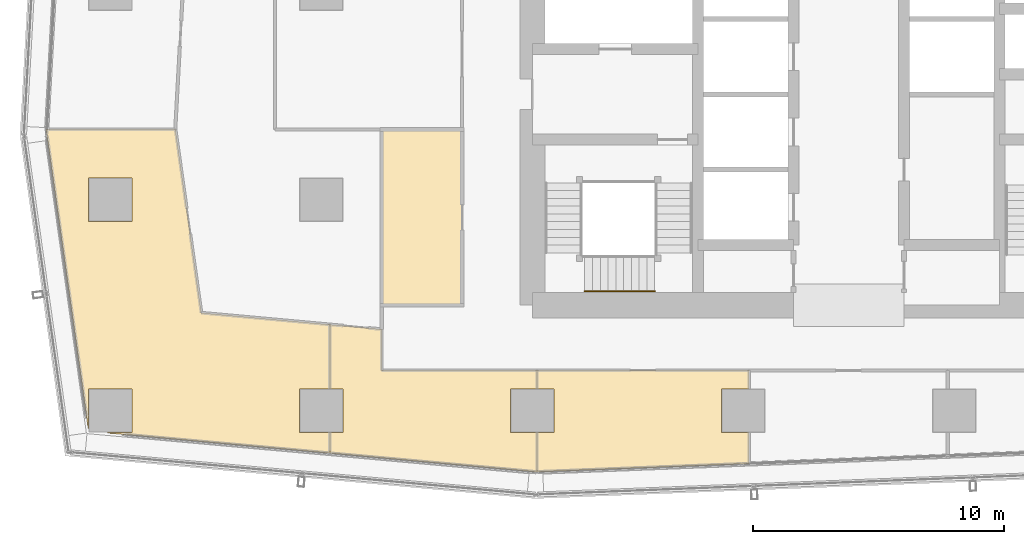
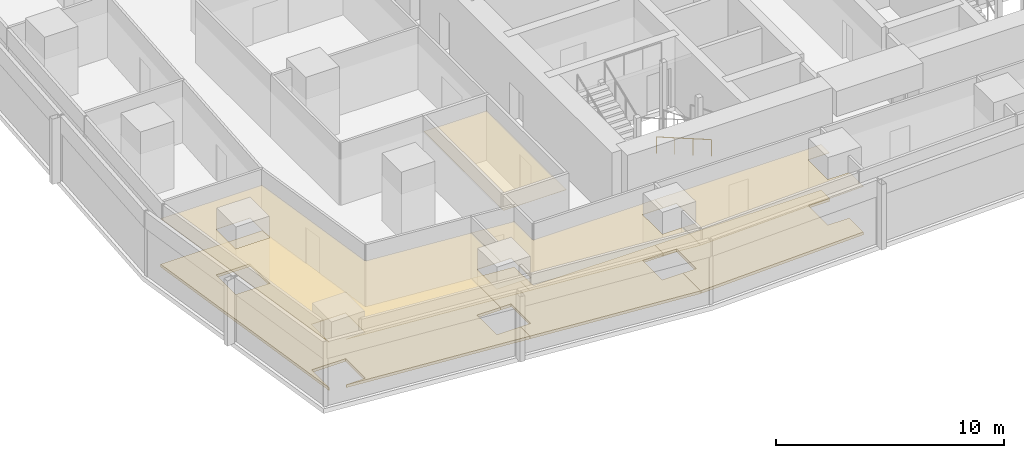
# One storey, part 33 of 40: 7 coverings, 1 railing.
"""IFC4 building model written with IfcOpenShell, lengths in metres."""

from ifc_helpers import new_model, si_unit, direction, frame, origin, origin_2d, place, context, subcontext, project, spatial, polyline, circle, outline, extrude, material, layer, layer_set, type_object, element, save


model = new_model("IFC4")

# Units and contexts
model_context = context("Model", 3, precision=1e-05, world=origin(), true_north=direction((0.0, 1.0)))
body_context = subcontext(model_context, "Body", "Model", "MODEL_VIEW")
ifc_project = project(units=[si_unit("LENGTHUNIT", "METRE"), si_unit("AREAUNIT", "SQUARE_METRE"), si_unit("VOLUMEUNIT", "CUBIC_METRE"), si_unit("PLANEANGLEUNIT", "RADIAN"), si_unit("MASSUNIT", "GRAM", prefix="KILO")], contexts=[model_context])

# Site, building, storey
site_placement = place(None, origin())
site = spatial("IfcSite", under=ifc_project, at=site_placement, CompositionType="ELEMENT")
building_placement = place(site_placement, origin())
building = spatial("IfcBuilding", under=site, at=building_placement, Name="Rekha Terrace Tower", CompositionType="ELEMENT")
storey_placement = place(building_placement, frame((0.0, 0.0, 136.550048828125)))
storey = spatial("IfcBuildingStorey", under=building, at=storey_placement, Name="L34", CompositionType="ELEMENT", Elevation=136.550048828125)

# Coverings
ifc_material_1 = material(Name="Mineral fibre tile in exposed grid", Category="finish")
ifc_layer_1 = layer(ifc_material_1, 0.02001953125)
ifc_layer_set_1 = layer_set([ifc_layer_1], Name="Mineral fibre tile in exposed grid")
covering_type_1 = type_object("IfcCoveringType", Name="CL1 600x1200 office grid ceiling", PredefinedType="CEILING", material=ifc_layer_set_1)
covering_1_placement = place(storey_placement, frame((0.0, 0.0, 2.579833984375)))
element("IfcCovering", 1, at=covering_1_placement, inside=storey, type_object=covering_type_1, Name="Ceiling L34-08", PredefinedType="CEILING", context=body_context, shape_type="SweptSolid", body=[
    extrude(outline(polyline([(33.824951171875, 17.6650390625), (33.824951171875, 18.39990234375), (25.3798828125, 18.39990234375), (25.3798828125, 17.6650390625), (26.06494140625, 17.6650390625), (26.06494140625, 15.93505859375), (25.3798828125, 15.93505859375), (25.3798828125, 14.363037109375), (33.824951171875, 14.69189453125), (33.824951171875, 15.93505859375), (32.735107421875, 15.93505859375), (32.735107421875, 17.6650390625), (33.824951171875, 17.6650390625)])), origin(), (0.0, 0.0, 1.0), 0.02001953125),
])
covering_2_placement = place(storey_placement, frame((0.0, 0.0, 2.579833984375)))
element("IfcCovering", 2, at=covering_2_placement, inside=storey, type_object=covering_type_1, Name="Ceiling L34-16", PredefinedType="CEILING", context=body_context, shape_type="SweptSolid", body=[
    extrude(outline(polyline([(7.514892578125, 16.096923828125), (7.534912109375, 16.097900390625), (7.534912109375, 17.6650390625), (9.264892578125, 17.6650390625), (9.264892578125, 15.93505859375), (8.283935546875, 15.93505859375), (8.282958984375, 15.912109375), (17.134033203125, 15.10791015625), (17.134033203125, 15.93505859375), (15.93505859375, 15.93505859375), (15.93505859375, 17.6650390625), (17.134033203125, 17.6650390625), (17.134033203125, 20.22900390625), (12.01806640625, 20.694091796875), (10.988037109375, 27.9990234375), (5.837890625, 27.9990234375), (7.514892578125, 16.096923828125)]), holes=[polyline([(9.264892578125, 24.3349609375), (7.534912109375, 24.3349609375), (7.534912109375, 26.06494140625), (9.264892578125, 26.06494140625), (9.264892578125, 24.3349609375)])]), origin(), (0.0, 0.0, 1.0), 0.02001953125),
])
covering_3_placement = place(storey_placement, frame((0.0, 0.0, 2.579833984375)))
element("IfcCovering", 3, at=covering_3_placement, inside=storey, type_object=covering_type_1, Name="Ceiling L34-17", PredefinedType="CEILING", context=body_context, shape_type="SweptSolid", body=[
    extrude(outline(polyline([(25.37890625, 17.6650390625), (25.37890625, 18.39990234375), (19.199951171875, 18.39990234375), (19.199951171875, 20.041015625), (17.135009765625, 20.22900390625), (17.135009765625, 17.6650390625), (17.6650390625, 17.6650390625), (17.6650390625, 15.93505859375), (17.135009765625, 15.93505859375), (17.135009765625, 15.10791015625), (25.37890625, 14.35888671875), (25.37890625, 15.93505859375), (24.3349609375, 15.93505859375), (24.3349609375, 17.6650390625), (25.37890625, 17.6650390625)])), origin(), (0.0, 0.0, 1.0), 0.02001953125),
])
ifc_material_2 = material(Name="Fibre cement board", Category="finish")
ifc_layer_2 = layer(ifc_material_2, 0.014892578125)
ifc_layer_set_2 = layer_set([ifc_layer_2], Name="Fibre cement board")
covering_type_2 = type_object("IfcCoveringType", Name="CL2 moisture-resistant board ceiling", PredefinedType="CEILING", material=ifc_layer_set_2)
covering_4_placement = place(storey_placement, frame((0.0, 0.0, 2.5849609375)))
element("IfcCovering", 4, at=covering_4_placement, inside=storey, type_object=covering_type_2, Name="Ceiling L34-WCM", PredefinedType="CEILING", context=body_context, shape_type="SweptSolid", body=[
    extrude(outline(polyline([(22.39990234375, 28.0), (19.199951171875, 28.0), (19.199951171875, 21.0), (22.39990234375, 21.0), (22.39990234375, 28.0)])), origin(), (0.0, 0.0, 1.0), 0.014892578125),
])

# Railing
ifc_material_3 = material(Name="Stainless steel tube", Category="steel")
railing_type = type_object("IfcRailingType", Name="HR1 900 stair handrail", PredefinedType="HANDRAIL", material=ifc_material_3)
railing_placement = place(storey_placement, frame((30.074951171875, 21.56005859375, 1.375)))
element("IfcRailing", 5, at=railing_placement, inside=storey, type_object=railing_type, Name="Handrail ST1 L34 flight 2", PredefinedType="HANDRAIL", context=body_context, shape_type="SweptSolid", body=[
    extrude(circle(Radius=0.02392578125, at=origin_2d()), frame((0.0, 0.0, 0.8759765625), z_axis=(-0.927443287984, 0.0, 0.373963831907), x_axis=(0.0, -1.0, 0.0)), (0.0, 0.0, 1.0), 3.00830078125),
    extrude(circle(Radius=0.02099609375, at=origin_2d()), origin(), (0.0, 0.0, 1.0), 0.851806640625),
    extrude(circle(Radius=0.02099609375, at=origin_2d()), frame((-0.929931640625, 0.0, 0.375)), (0.0, 0.0, 1.0), 0.851806640625),
    extrude(circle(Radius=0.02099609375, at=origin_2d()), frame((-1.860107421875, 0.0, 0.75)), (0.0, 0.0, 1.0), 0.851806640625),
    extrude(circle(Radius=0.02099609375, at=origin_2d()), frame((-2.7900390625, 0.0, 1.125)), (0.0, 0.0, 1.0), 0.851806640625),
])

# Coverings
ifc_material_4 = material(Name="Calcium sulphate panels on steel pedestals", Category="steel")
ifc_layer_3 = layer(ifc_material_4, 0.14990234375)
ifc_layer_set_3 = layer_set([ifc_layer_3], Name="Calcium sulphate panels on steel pedestals")
covering_type_3 = type_object("IfcCoveringType", Name="RF1 150 raised access floor", PredefinedType="FLOORING", material=ifc_layer_set_3)
covering_5_placement = place(storey_placement, origin())
element("IfcCovering", 6, at=covering_5_placement, inside=storey, type_object=covering_type_3, Name="Raised floor L34-08", PredefinedType="FLOORING", context=body_context, shape_type="SweptSolid", body=[
    extrude(outline(polyline([(33.824951171875, 17.6650390625), (33.824951171875, 18.39990234375), (25.3798828125, 18.39990234375), (25.3798828125, 17.6650390625), (26.06494140625, 17.6650390625), (26.06494140625, 15.93505859375), (25.3798828125, 15.93505859375), (25.3798828125, 14.363037109375), (33.824951171875, 14.69189453125), (33.824951171875, 15.93505859375), (32.735107421875, 15.93505859375), (32.735107421875, 17.6650390625), (33.824951171875, 17.6650390625)])), origin(), (0.0, 0.0, 1.0), 0.14990234375),
])
covering_6_placement = place(storey_placement, origin())
element("IfcCovering", 7, at=covering_6_placement, inside=storey, type_object=covering_type_3, Name="Raised floor L34-16", PredefinedType="FLOORING", context=body_context, shape_type="SweptSolid", body=[
    extrude(outline(polyline([(7.514892578125, 16.096923828125), (7.534912109375, 16.097900390625), (7.534912109375, 17.6650390625), (9.264892578125, 17.6650390625), (9.264892578125, 15.93505859375), (8.283935546875, 15.93505859375), (8.282958984375, 15.912109375), (17.134033203125, 15.10791015625), (17.134033203125, 15.93505859375), (15.93505859375, 15.93505859375), (15.93505859375, 17.6650390625), (17.134033203125, 17.6650390625), (17.134033203125, 20.22900390625), (12.01806640625, 20.694091796875), (10.988037109375, 27.9990234375), (5.837890625, 27.9990234375), (7.514892578125, 16.096923828125)]), holes=[polyline([(9.264892578125, 24.3349609375), (7.534912109375, 24.3349609375), (7.534912109375, 26.06494140625), (9.264892578125, 26.06494140625), (9.264892578125, 24.3349609375)])]), origin(), (0.0, 0.0, 1.0), 0.14990234375),
])
covering_7_placement = place(storey_placement, origin())
element("IfcCovering", 8, at=covering_7_placement, inside=storey, type_object=covering_type_3, Name="Raised floor L34-17", PredefinedType="FLOORING", context=body_context, shape_type="SweptSolid", body=[
    extrude(outline(polyline([(25.37890625, 17.6650390625), (25.37890625, 18.39990234375), (19.199951171875, 18.39990234375), (19.199951171875, 20.041015625), (17.135009765625, 20.22900390625), (17.135009765625, 17.6650390625), (17.6650390625, 17.6650390625), (17.6650390625, 15.93505859375), (17.135009765625, 15.93505859375), (17.135009765625, 15.10791015625), (25.37890625, 14.35888671875), (25.37890625, 15.93505859375), (24.3349609375, 15.93505859375), (24.3349609375, 17.6650390625), (25.37890625, 17.6650390625)])), origin(), (0.0, 0.0, 1.0), 0.14990234375),
])

save(model, "model.ifc")
